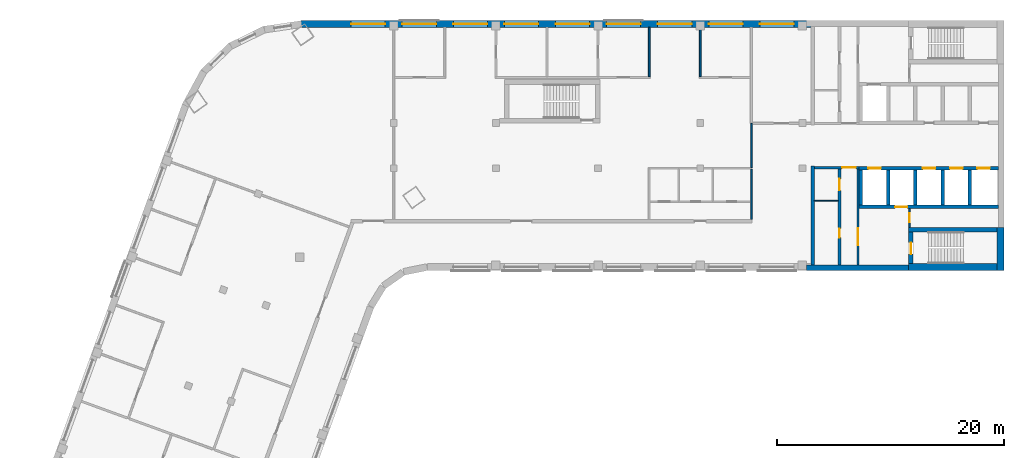
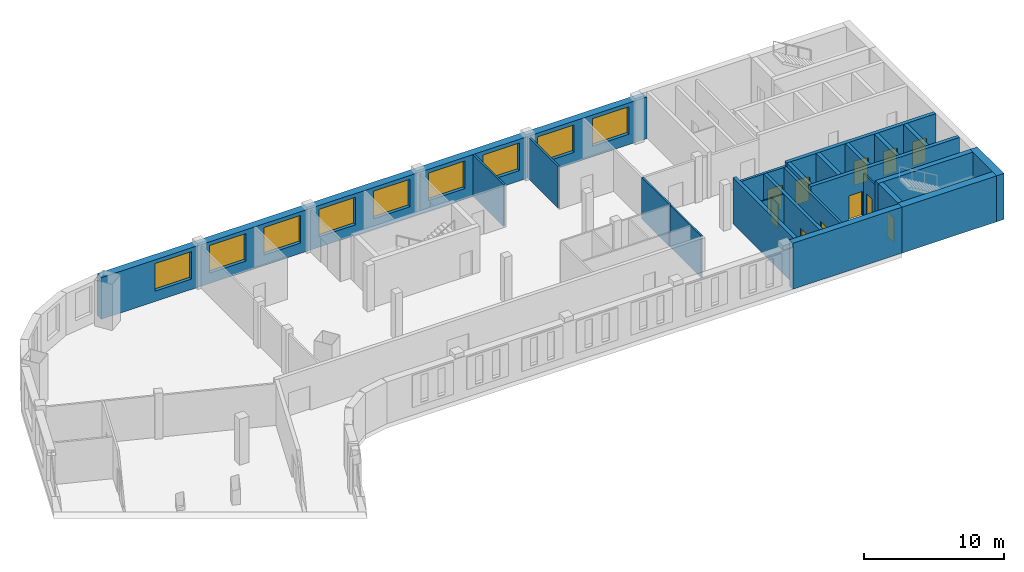
# One storey, part 5 of 8: 23 walls, 11 doors, 9 windows, 20 openings.
"""IFC4 building model written with IfcOpenShell, lengths in metres."""

from ifc_helpers import new_model, si_unit, direction, frame, frame_2d, origin, place, context, subcontext, project, spatial, rectangle, extrude, material, layer, layer_set, type_object, element, fill, save


model = new_model("IFC4")

# Units and contexts
model_context = context("Model", 3, precision=1e-05, world=origin(), true_north=direction((0.0, 1.0)))
body_context = subcontext(model_context, "Body", "Model", "MODEL_VIEW")
ifc_project = project(units=[si_unit("LENGTHUNIT", "METRE"), si_unit("AREAUNIT", "SQUARE_METRE"), si_unit("VOLUMEUNIT", "CUBIC_METRE"), si_unit("PLANEANGLEUNIT", "RADIAN"), si_unit("MASSUNIT", "GRAM", prefix="KILO")], contexts=[model_context])

# Site, building, storey
site_placement = place(None, origin())
site = spatial("IfcSite", under=ifc_project, at=site_placement, CompositionType="ELEMENT")
building_placement = place(site_placement, origin())
building = spatial("IfcBuilding", under=site, at=building_placement, Name="Skarvind Civic Tower", CompositionType="ELEMENT")
storey_placement = place(building_placement, frame((0.0, 0.0, 200.0)))
storey = spatial("IfcBuildingStorey", under=building, at=storey_placement, Name="L47", CompositionType="ELEMENT", Elevation=200.0)

# Wall, opening, door
ifc_material_1 = material(Name="Fire-rated masonry partition", Category="masonry")
ifc_layer_1 = layer(ifc_material_1, 0.199951171875)
ifc_layer_set_1 = layer_set([ifc_layer_1], Name="Core enclosure wall 200")
wall_type_1 = type_object("IfcWallType", Name="Core enclosure wall 200", PredefinedType="PARTITIONING", material=ifc_layer_set_1)
wall_1_placement = place(storey_placement, frame((95.25, 126.050048828125, 0.0), z_axis=(0.0, 0.0, 1.0), x_axis=(-1.0, 0.0, 0.0)))
wall_1 = element("IfcWall", 1, at=wall_1_placement, inside=storey, type_object=wall_type_1, Name="Core wall C1", PredefinedType="PARTITIONING", context=body_context, shape_type="SweptSolid", body=[
    extrude(rectangle(XDim=3.949951171875, YDim=0.199951171875, at=frame_2d((1.97509765625, 0.0))), origin(), (0.0, 0.0, 1.0), 3.625),
])
opening_1_placement = place(wall_1_placement, frame((0.300048828125, 0.0, 0.0)))
opening_1 = element("IfcOpeningElement", 2, at=opening_1_placement, cuts=wall_1, Name="Opening D-L47-C1-07", PredefinedType="OPENING", context=body_context, shape_type="SweptSolid", body=[
    extrude(rectangle(XDim=1.199951171875, YDim=2.10009765625, at=frame_2d((0.60009765625, 1.050048828125))), frame((0.0, 0.10986328125, 0.0), z_axis=(0.0, -1.0, 0.0), x_axis=(1.0, 0.0, 0.0)), (0.0, 0.0, 1.0), 0.219970703125),
])
ifc_material_2 = material(Name="Fire-rated steel door", Category="steel")
door_type_1 = type_object("IfcDoorType", Name="Core lobby door 1200", OperationType="NOTDEFINED", PredefinedType="DOOR", material=ifc_material_2)
door_1_placement = place(opening_1_placement, origin())
door_1 = element("IfcDoor", 3, at=door_1_placement, inside=storey, type_object=door_type_1, Name="Fire door", OperationType="DOUBLE_DOOR_SINGLE_SWING", OverallHeight=2.10009765625, OverallWidth=1.199951171875, PredefinedType="DOOR", context=body_context, shape_type="SweptSolid", body=[
    extrude(rectangle(XDim=1.199951171875, YDim=2.10009765625, at=frame_2d((0.60009765625, 1.050048828125))), frame((0.0, 0.02490234375, 0.0), z_axis=(0.0, -1.0, 0.0), x_axis=(1.0, 0.0, 0.0)), (0.0, 0.0, 1.0), 0.050048828125),
])
fill(opening_1, door_1)

wall_2_placement = place(storey_placement, frame((95.14990234375, 117.5, 0.0), z_axis=(0.0, 0.0, 1.0), x_axis=(0.0, 1.0, 0.0)))
wall_2 = element("IfcWall", 4, at=wall_2_placement, inside=storey, type_object=wall_type_1, Name="Core wall C1", PredefinedType="PARTITIONING", context=body_context, shape_type="SweptSolid", body=[
    extrude(rectangle(XDim=8.449951171875, YDim=0.199951171875, at=frame_2d((4.22509765625, 0.0))), origin(), (0.0, 0.0, 1.0), 3.625),
])
opening_2_placement = place(wall_2_placement, frame((1.72509765625, 0.0, 0.0)))
opening_2 = element("IfcOpeningElement", 5, at=opening_2_placement, cuts=wall_2, Name="Opening D-L47-C1-08", PredefinedType="OPENING", context=body_context, shape_type="SweptSolid", body=[
    extrude(rectangle(XDim=1.5, YDim=2.10009765625, at=frame_2d((0.75, 1.050048828125))), frame((0.0, 0.10986328125, 0.0), z_axis=(0.0, -1.0, 0.0), x_axis=(1.0, 0.0, 0.0)), (0.0, 0.0, 1.0), 0.219970703125),
])
door_type_2 = type_object("IfcDoorType", Name="Fire door 1500", OperationType="NOTDEFINED", PredefinedType="DOOR", material=ifc_material_2)
door_2_placement = place(opening_2_placement, origin())
door_2 = element("IfcDoor", 6, at=door_2_placement, inside=storey, type_object=door_type_2, Name="Fire door", OperationType="DOUBLE_DOOR_SINGLE_SWING", OverallHeight=2.10009765625, OverallWidth=1.5, PredefinedType="DOOR", context=body_context, shape_type="SweptSolid", body=[
    extrude(rectangle(XDim=1.5, YDim=2.10009765625, at=frame_2d((0.75, 1.050048828125))), frame((0.0, 0.02490234375, 0.0), z_axis=(0.0, -1.0, 0.0), x_axis=(1.0, 0.0, 0.0)), (0.0, 0.0, 1.0), 0.050048828125),
])
fill(opening_2, door_2)

# Wall
ifc_material_3 = material(Name="Fire-rated plasterboard partition")
ifc_layer_2 = layer(ifc_material_3, 0.10009765625)
ifc_layer_set_2 = layer_set([ifc_layer_2], Name="Core partition wall 100")
wall_type_2 = type_object("IfcWallType", Name="Core partition wall 100", PredefinedType="PARTITIONING", material=ifc_layer_set_2)
wall_3_placement = place(storey_placement, frame((93.39990234375, 123.1298828125, 0.0), z_axis=(0.0, 0.0, 1.0), x_axis=(-1.0, 0.0, 0.0)))
element("IfcWall", 7, at=wall_3_placement, inside=storey, type_object=wall_type_2, Name="Core wall C1", PredefinedType="PARTITIONING", context=body_context, shape_type="SweptSolid", body=[
    extrude(rectangle(XDim=2.099853515625, YDim=0.10009765625, at=frame_2d((1.0498046875, 0.0))), origin(), (0.0, 0.0, 1.0), 3.625),
])

# Wall, openings, doors
ifc_material_4 = material(Name="Concrete C60", Category="concrete")
ifc_layer_3 = layer(ifc_material_4, 0.300048828125)
ifc_layer_set_3 = layer_set([ifc_layer_3], Name="Core wall 300 C60")
wall_type_3 = type_object("IfcWallType", Name="Core wall 300 C60", PredefinedType="SHEAR", material=ifc_layer_set_3)
wall_4_placement = place(storey_placement, frame((107.5, 126.0, 0.0), z_axis=(0.0, 0.0, 1.0), x_axis=(-1.0, 0.0, 0.0)))
wall_4 = element("IfcWall", 8, at=wall_4_placement, inside=storey, type_object=wall_type_3, Name="Core wall C1 north lift row front L47", PredefinedType="SHEAR", context=body_context, shape_type="SweptSolid", body=[
    extrude(rectangle(XDim=12.25, YDim=0.300048828125, at=frame_2d((6.125, 0.0))), origin(), (0.0, 0.0, 1.0), 4.0),
])
opening_3_placement = place(wall_4_placement, frame((0.75, 0.0, 0.0)))
opening_3 = element("IfcOpeningElement", 9, at=opening_3_placement, cuts=wall_4, Name="Opening LD49101", PredefinedType="OPENING", context=body_context, shape_type="SweptSolid", body=[
    extrude(rectangle(XDim=1.10009765625, YDim=2.10009765625, at=frame_2d((0.550048828125, 1.050048828125))), frame((0.0, 0.159912109375, 0.0), z_axis=(0.0, -1.0, 0.0), x_axis=(1.0, 0.0, 0.0)), (0.0, 0.0, 1.0), 0.320068359375),
])
opening_4_placement = place(wall_4_placement, frame((3.14990234375, 0.0, 0.0)))
opening_4 = element("IfcOpeningElement", 10, at=opening_4_placement, cuts=wall_4, Name="Opening LD49102", PredefinedType="OPENING", context=body_context, shape_type="SweptSolid", body=[
    extrude(rectangle(XDim=1.10009765625, YDim=2.10009765625, at=frame_2d((0.550048828125, 1.050048828125))), frame((0.0, 0.159912109375, 0.0), z_axis=(0.0, -1.0, 0.0), x_axis=(1.0, 0.0, 0.0)), (0.0, 0.0, 1.0), 0.320068359375),
])
opening_5_placement = place(wall_4_placement, frame((5.550048828125, 0.0, 0.0)))
opening_5 = element("IfcOpeningElement", 11, at=opening_5_placement, cuts=wall_4, Name="Opening LD49103", PredefinedType="OPENING", context=body_context, shape_type="SweptSolid", body=[
    extrude(rectangle(XDim=1.10009765625, YDim=2.10009765625, at=frame_2d((0.550048828125, 1.050048828125))), frame((0.0, 0.159912109375, 0.0), z_axis=(0.0, -1.0, 0.0), x_axis=(1.0, 0.0, 0.0)), (0.0, 0.0, 1.0), 0.320068359375),
])
opening_6_placement = place(wall_4_placement, frame((10.35009765625, 0.0, 0.0)))
opening_6 = element("IfcOpeningElement", 12, at=opening_6_placement, cuts=wall_4, Name="Opening LD49105", PredefinedType="OPENING", context=body_context, shape_type="SweptSolid", body=[
    extrude(rectangle(XDim=1.10009765625, YDim=2.10009765625, at=frame_2d((0.550048828125, 1.050048828125))), frame((0.0, 0.159912109375, 0.0), z_axis=(0.0, -1.0, 0.0), x_axis=(1.0, 0.0, 0.0)), (0.0, 0.0, 1.0), 0.320068359375),
])
ifc_material_5 = material(Name="Stainless steel landing door", Category="steel")
door_type_3 = type_object("IfcDoorType", Name="Lift landing door 1100", OperationType="DOUBLE_DOOR_SLIDING", PredefinedType="DOOR", material=ifc_material_5)
door_3_placement = place(opening_3_placement, origin())
door_3 = element("IfcDoor", 13, at=door_3_placement, inside=storey, type_object=door_type_3, Name="Lift landing door", OperationType="DOUBLE_DOOR_SLIDING", OverallHeight=2.10009765625, OverallWidth=1.10009765625, PredefinedType="DOOR", context=body_context, shape_type="SweptSolid", body=[
    extrude(rectangle(XDim=1.10009765625, YDim=2.10009765625, at=frame_2d((0.550048828125, 1.050048828125))), frame((0.0, 0.02490234375, 0.0), z_axis=(0.0, -1.0, 0.0), x_axis=(1.0, 0.0, 0.0)), (0.0, 0.0, 1.0), 0.050048828125),
])
fill(opening_3, door_3)
door_4_placement = place(opening_4_placement, origin())
door_4 = element("IfcDoor", 14, at=door_4_placement, inside=storey, type_object=door_type_3, Name="Lift landing door", OperationType="DOUBLE_DOOR_SLIDING", OverallHeight=2.10009765625, OverallWidth=1.10009765625, PredefinedType="DOOR", context=body_context, shape_type="SweptSolid", body=[
    extrude(rectangle(XDim=1.10009765625, YDim=2.10009765625, at=frame_2d((0.550048828125, 1.050048828125))), frame((0.0, 0.02490234375, 0.0), z_axis=(0.0, -1.0, 0.0), x_axis=(1.0, 0.0, 0.0)), (0.0, 0.0, 1.0), 0.050048828125),
])
fill(opening_4, door_4)
door_5_placement = place(opening_5_placement, origin())
door_5 = element("IfcDoor", 15, at=door_5_placement, inside=storey, type_object=door_type_3, Name="Lift landing door", OperationType="DOUBLE_DOOR_SLIDING", OverallHeight=2.10009765625, OverallWidth=1.10009765625, PredefinedType="DOOR", context=body_context, shape_type="SweptSolid", body=[
    extrude(rectangle(XDim=1.10009765625, YDim=2.10009765625, at=frame_2d((0.550048828125, 1.050048828125))), frame((0.0, 0.02490234375, 0.0), z_axis=(0.0, -1.0, 0.0), x_axis=(1.0, 0.0, 0.0)), (0.0, 0.0, 1.0), 0.050048828125),
])
fill(opening_5, door_5)
door_6_placement = place(opening_6_placement, origin())
door_6 = element("IfcDoor", 16, at=door_6_placement, inside=storey, type_object=door_type_3, Name="Lift landing door", OperationType="DOUBLE_DOOR_SLIDING", OverallHeight=2.10009765625, OverallWidth=1.10009765625, PredefinedType="DOOR", context=body_context, shape_type="SweptSolid", body=[
    extrude(rectangle(XDim=1.10009765625, YDim=2.10009765625, at=frame_2d((0.550048828125, 1.050048828125))), frame((0.0, 0.02490234375, 0.0), z_axis=(0.0, -1.0, 0.0), x_axis=(1.0, 0.0, 0.0)), (0.0, 0.0, 1.0), 0.050048828125),
])
fill(opening_6, door_6)

# Wall, opening, door
wall_5_placement = place(storey_placement, frame((107.5, 122.60009765625, 0.0), z_axis=(0.0, 0.0, 1.0), x_axis=(-1.0, 0.0, 0.0)))
wall_5 = element("IfcWall", 17, at=wall_5_placement, inside=storey, type_object=wall_type_3, Name="Core wall C1 north lift row back L47", PredefinedType="SHEAR", context=body_context, shape_type="SweptSolid", body=[
    extrude(rectangle(XDim=12.25, YDim=0.300048828125, at=frame_2d((6.125, 0.0))), origin(), (0.0, 0.0, 1.0), 4.0),
])
opening_7_placement = place(wall_5_placement, frame((8.0, 0.0, 0.0)))
opening_7 = element("IfcOpeningElement", 18, at=opening_7_placement, cuts=wall_5, Name="Opening LD49104", PredefinedType="OPENING", context=body_context, shape_type="SweptSolid", body=[
    extrude(rectangle(XDim=1.10009765625, YDim=2.10009765625, at=frame_2d((0.550048828125, 1.050048828125))), frame((0.0, 0.159912109375, 0.0), z_axis=(0.0, -1.0, 0.0), x_axis=(1.0, 0.0, 0.0)), (0.0, 0.0, 1.0), 0.320068359375),
])
door_7_placement = place(opening_7_placement, origin())
door_7 = element("IfcDoor", 19, at=door_7_placement, inside=storey, type_object=door_type_3, Name="Lift landing door", OperationType="DOUBLE_DOOR_SLIDING", OverallHeight=2.10009765625, OverallWidth=1.10009765625, PredefinedType="DOOR", context=body_context, shape_type="SweptSolid", body=[
    extrude(rectangle(XDim=1.10009765625, YDim=2.10009765625, at=frame_2d((0.550048828125, 1.050048828125))), frame((0.0, 0.02490234375, 0.0), z_axis=(0.0, -1.0, 0.0), x_axis=(1.0, 0.0, 0.0)), (0.0, 0.0, 1.0), 0.050048828125),
])
fill(opening_7, door_7)

# Walls
for number, where, z_axis, x_axis, name in (
    (20, (105.0, 125.85009765625, 0.0), (0.0, 0.0, 1.0), (0.0, -1.0, 0.0), "Core wall C1 north lift row division 1 L47"),
    (21, (102.60009765625, 125.85009765625, 0.0), (0.0, 0.0, 1.0), (0.0, -1.0, 0.0), "Core wall C1 north lift row division 2 L47"),
    (22, (100.199951171875, 125.85009765625, 0.0), (0.0, 0.0, 1.0), (0.0, -1.0, 0.0), "Core wall C1 north lift row division 3 L47"),
    (23, (97.800048828125, 125.85009765625, 0.0), (0.0, 0.0, 1.0), (0.0, -1.0, 0.0), "Core wall C1 north lift row division 4 L47"),
    (24, (95.39990234375, 125.85009765625, 0.0), (0.0, 0.0, 1.0), (0.0, -1.0, 0.0), "Core wall C1 north lift row division 5 L47"),
):
    element("IfcWall", number, at=place(storey_placement, frame(where, z_axis=z_axis, x_axis=x_axis)), inside=storey, type_object=wall_type_3, Name=name, PredefinedType="SHEAR", context=body_context, shape_type="SweptSolid", body=[
        extrude(rectangle(XDim=3.10009765625, YDim=0.300048828125, at=frame_2d((1.550048828125, 0.0))), origin(), (0.0, 0.0, 1.0), 4.0),
    ])
wall_6_placement = place(storey_placement, frame((91.14990234375, 126.199951171875, 0.0), z_axis=(0.0, 0.0, 1.0), x_axis=(0.0, -1.0, 0.0)))
element("IfcWall", 25, at=wall_6_placement, inside=storey, type_object=wall_type_3, Name="Core wall C1 north inner face L47", PredefinedType="SHEAR", context=body_context, shape_type="SweptSolid", body=[
    extrude(rectangle(XDim=8.699951171875, YDim=0.300048828125, at=frame_2d((4.35009765625, 0.0))), origin(), (0.0, 0.0, 1.0), 4.0),
])
ifc_layer_4 = layer(ifc_material_4, 0.39990234375)
ifc_layer_set_4 = layer_set([ifc_layer_4], Name="Core wall 400 C60")
wall_type_4 = type_object("IfcWallType", Name="Core wall 400 C60", PredefinedType="SHEAR", material=ifc_layer_set_4)
wall_7_placement = place(storey_placement, frame((107.39990234375, 120.60009765625, 0.0), z_axis=(0.0, 0.0, 1.0), x_axis=(-1.0, 0.0, 0.0)))
element("IfcWall", 26, at=wall_7_placement, inside=storey, type_object=wall_type_4, Name="Core wall C1 north stair inner L47", PredefinedType="SHEAR", context=body_context, shape_type="SweptSolid", body=[
    extrude(rectangle(XDim=7.7998046875, YDim=0.39990234375, at=frame_2d((3.89990234375, 0.0))), origin(), (0.0, 0.0, 1.0), 4.0),
])

# Wall, opening, door
wall_8_placement = place(storey_placement, frame((99.800048828125, 120.39990234375, 0.0), z_axis=(0.0, 0.0, 1.0), x_axis=(0.0, -1.0, 0.0)))
wall_8 = element("IfcWall", 27, at=wall_8_placement, inside=storey, type_object=wall_type_4, Name="Core wall C1 north stair end L47", PredefinedType="SHEAR", context=body_context, shape_type="SweptSolid", body=[
    extrude(rectangle(XDim=2.7998046875, YDim=0.39990234375, at=frame_2d((1.39990234375, 0.0))), origin(), (0.0, 0.0, 1.0), 4.0),
])
opening_8_placement = place(wall_8_placement, frame((0.949951171875, 0.0, 0.0)))
opening_8 = element("IfcOpeningElement", 28, at=opening_8_placement, cuts=wall_8, Name="Opening D-L47-C1-09", PredefinedType="OPENING", context=body_context, shape_type="SweptSolid", body=[
    extrude(rectangle(XDim=1.0, YDim=2.10009765625, at=frame_2d((0.5, 1.050048828125))), frame((0.0, 0.2099609375, 0.0), z_axis=(0.0, -1.0, 0.0), x_axis=(1.0, 0.0, 0.0)), (0.0, 0.0, 1.0), 0.419921875),
])
door_type_4 = type_object("IfcDoorType", Name="Fire door 1000", OperationType="NOTDEFINED", PredefinedType="DOOR", material=ifc_material_2)
door_8_placement = place(opening_8_placement, origin())
door_8 = element("IfcDoor", 29, at=door_8_placement, inside=storey, type_object=door_type_4, Name="Fire door", OperationType="SINGLE_SWING_LEFT", OverallHeight=2.10009765625, OverallWidth=1.0, PredefinedType="DOOR", context=body_context, shape_type="SweptSolid", body=[
    extrude(rectangle(XDim=1.0, YDim=2.10009765625, at=frame_2d((0.5, 1.050048828125))), frame((0.0, 0.02490234375, 0.0), z_axis=(0.0, -1.0, 0.0), x_axis=(1.0, 0.0, 0.0)), (0.0, 0.0, 1.0), 0.050048828125),
])
fill(opening_8, door_8)

# Walls
ifc_layer_5 = layer(ifc_material_4, 0.5)
ifc_layer_set_5 = layer_set([ifc_layer_5], Name="Core wall 500 C60")
wall_type_5 = type_object("IfcWallType", Name="Core wall 500 C60", PredefinedType="SHEAR", material=ifc_layer_set_5)
wall_9_placement = place(storey_placement, frame((99.60009765625, 117.25, 0.0), z_axis=(0.0, 0.0, 1.0), x_axis=(-1.0, 0.0, 0.0)))
element("IfcWall", 30, at=wall_9_placement, inside=storey, type_object=wall_type_5, Name="Core wall C1 north side L47", PredefinedType="SHEAR", context=body_context, shape_type="SweptSolid", body=[
    extrude(rectangle(XDim=8.97509765625, YDim=0.5, at=frame_2d((4.487548828125, 0.0))), origin(), (0.0, 0.0, 1.0), 4.0),
])
ifc_layer_6 = layer(ifc_material_4, 0.60009765625)
ifc_layer_set_6 = layer_set([ifc_layer_6], Name="Core wall 600 C60")
wall_type_6 = type_object("IfcWallType", Name="Core wall 600 C60", PredefinedType="SHEAR", material=ifc_layer_set_6)
wall_10_placement = place(storey_placement, frame((107.699951171875, 120.800048828125, 0.0), z_axis=(0.0, 0.0, 1.0), x_axis=(0.0, -1.0, 0.0)))
element("IfcWall", 31, at=wall_10_placement, inside=storey, type_object=wall_type_6, Name="Core wall C1 tip at the north stair L47", PredefinedType="SHEAR", context=body_context, shape_type="SweptSolid", body=[
    extrude(rectangle(XDim=3.800048828125, YDim=0.60009765625, at=frame_2d((1.89990234375, 0.0))), origin(), (0.0, 0.0, 1.0), 4.0),
])
wall_11_placement = place(storey_placement, frame((107.39990234375, 117.300048828125, 0.0), z_axis=(0.0, 0.0, 1.0), x_axis=(-1.0, 0.0, 0.0)))
element("IfcWall", 32, at=wall_11_placement, inside=storey, type_object=wall_type_6, Name="Core wall C1 north side at the stair L47", PredefinedType="SHEAR", context=body_context, shape_type="SweptSolid", body=[
    extrude(rectangle(XDim=7.7998046875, YDim=0.60009765625, at=frame_2d((3.89990234375, 0.0))), origin(), (0.0, 0.0, 1.0), 4.0),
])
ifc_material_6 = material(Name="Plasterboard partition on steel studs", Category="steel")
ifc_layer_7 = layer(ifc_material_6, 0.14990234375)
ifc_layer_set_7 = layer_set([ifc_layer_7], Name="PARTITION 150")
wall_type_7 = type_object("IfcWallType", Name="PARTITION 150", PredefinedType="PARTITIONING", material=ifc_layer_set_7)
for number, where, z_axis, x_axis, name in (
    (33, (76.75, 138.39990234375, 0.0), (0.0, 0.0, 1.0), (0.0, -1.0, 0.0), "Partition 47.027"),
    (34, (81.25, 134.074951171875, 0.0), (0.0, 0.0, 1.0), (0.0, 1.0, 0.0), "Partition 47.029"),
):
    element("IfcWall", number, at=place(storey_placement, frame(where, z_axis=z_axis, x_axis=x_axis)), inside=storey, type_object=wall_type_7, Name=name, PredefinedType="PARTITIONING", context=body_context, shape_type="SweptSolid", body=[
        extrude(rectangle(XDim=4.324951171875, YDim=0.14990234375, at=frame_2d((2.16259765625, 0.0))), origin(), (0.0, 0.0, 1.0), 3.625),
    ])
wall_12_placement = place(storey_placement, frame((85.75, 126.06005859375, 0.0), z_axis=(0.0, 0.0, 1.0), x_axis=(0.0, 1.0, 0.0)))
element("IfcWall", 35, at=wall_12_placement, inside=storey, type_object=wall_type_7, Name="Partition 47.032", PredefinedType="PARTITIONING", context=body_context, shape_type="SweptSolid", body=[
    extrude(rectangle(XDim=3.889892578125, YDim=0.14990234375, at=frame_2d((1.94482421875, 0.0))), origin(), (0.0, 0.0, 1.0), 3.625),
])

# Wall, opening, door
ifc_layer_8 = layer(ifc_material_1, 0.125)
ifc_layer_set_8 = layer_set([ifc_layer_8], Name="Riser wall 125")
wall_type_8 = type_object("IfcWallType", Name="Riser wall 125", PredefinedType="PARTITIONING", material=ifc_layer_set_8)
wall_13_placement = place(storey_placement, frame((99.66259765625, 120.800048828125, 0.0), z_axis=(0.0, 0.0, 1.0), x_axis=(0.0, 1.0, 0.0)))
wall_13 = element("IfcWall", 36, at=wall_13_placement, inside=storey, type_object=wall_type_8, Name="Core wall C1", PredefinedType="PARTITIONING", context=body_context, shape_type="SweptSolid", body=[
    extrude(rectangle(XDim=1.64990234375, YDim=0.125, at=frame_2d((0.824951171875, 0.0))), origin(), (0.0, 0.0, 1.0), 3.625),
])
opening_9_placement = place(wall_13_placement, frame((0.425048828125, 0.0, 0.0)))
opening_9 = element("IfcOpeningElement", 37, at=opening_9_placement, cuts=wall_13, Name="Opening D-L47-C1-10", PredefinedType="OPENING", context=body_context, shape_type="SweptSolid", body=[
    extrude(rectangle(XDim=0.800048828125, YDim=2.10009765625, at=frame_2d((0.39990234375, 1.050048828125))), frame((0.0, 0.072509765625, 0.0), z_axis=(0.0, -1.0, 0.0), x_axis=(1.0, 0.0, 0.0)), (0.0, 0.0, 1.0), 0.14501953125),
])
door_type_5 = type_object("IfcDoorType", Name="Core riser door 800", OperationType="NOTDEFINED", PredefinedType="DOOR", material=ifc_material_2)
door_9_placement = place(opening_9_placement, origin())
door_9 = element("IfcDoor", 38, at=door_9_placement, inside=storey, type_object=door_type_5, Name="Riser door", OperationType="SINGLE_SWING_RIGHT", OverallHeight=2.10009765625, OverallWidth=0.800048828125, PredefinedType="DOOR", context=body_context, shape_type="SweptSolid", body=[
    extrude(rectangle(XDim=0.800048828125, YDim=2.10009765625, at=frame_2d((0.39990234375, 1.050048828125))), frame((0.0, 0.02490234375, 0.0), z_axis=(0.0, -1.0, 0.0), x_axis=(1.0, 0.0, 0.0)), (0.0, 0.0, 1.0), 0.050048828125),
])
fill(opening_9, door_9)

# Wall, openings, doors
ifc_layer_9 = layer(ifc_material_1, 0.25)
ifc_layer_set_9 = layer_set([ifc_layer_9], Name="Service block wall 250")
wall_type_9 = type_object("IfcWallType", Name="Service block wall 250", PredefinedType="PARTITIONING", material=ifc_layer_set_9)
wall_14_placement = place(storey_placement, frame((93.52490234375, 117.5, 0.0), z_axis=(0.0, 0.0, 1.0), x_axis=(0.0, 1.0, 0.0)))
wall_14 = element("IfcWall", 39, at=wall_14_placement, inside=storey, type_object=wall_type_9, Name="Core wall C1", PredefinedType="PARTITIONING", context=body_context, shape_type="SweptSolid", body=[
    extrude(rectangle(XDim=8.449951171875, YDim=0.25, at=frame_2d((4.22509765625, 0.0))), origin(), (0.0, 0.0, 1.0), 3.625),
])
opening_10_placement = place(wall_14_placement, frame((6.56494140625, 0.0, 0.0)))
opening_10 = element("IfcOpeningElement", 40, at=opening_10_placement, cuts=wall_14, Name="Opening D-L47-C1-11", PredefinedType="OPENING", context=body_context, shape_type="SweptSolid", body=[
    extrude(rectangle(XDim=1.0, YDim=2.10009765625, at=frame_2d((0.5, 1.050048828125))), frame((0.0, 0.135009765625, 0.0), z_axis=(0.0, -1.0, 0.0), x_axis=(1.0, 0.0, 0.0)), (0.0, 0.0, 1.0), 0.27001953125),
])
opening_11_placement = place(wall_14_placement, frame((2.389892578125, 0.0, 0.0)))
opening_11 = element("IfcOpeningElement", 41, at=opening_11_placement, cuts=wall_14, Name="Opening D-L47-C1-12", PredefinedType="OPENING", context=body_context, shape_type="SweptSolid", body=[
    extrude(rectangle(XDim=0.800048828125, YDim=2.10009765625, at=frame_2d((0.39990234375, 1.050048828125))), frame((0.0, 0.135009765625, 0.0), z_axis=(0.0, -1.0, 0.0), x_axis=(1.0, 0.0, 0.0)), (0.0, 0.0, 1.0), 0.27001953125),
])
door_10_placement = place(opening_11_placement, origin())
door_10 = element("IfcDoor", 42, at=door_10_placement, inside=storey, type_object=door_type_5, Name="Riser door", OperationType="SINGLE_SWING_RIGHT", OverallHeight=2.10009765625, OverallWidth=0.800048828125, PredefinedType="DOOR", context=body_context, shape_type="SweptSolid", body=[
    extrude(rectangle(XDim=0.800048828125, YDim=2.10009765625, at=frame_2d((0.39990234375, 1.050048828125))), frame((0.0, 0.02490234375, 0.0), z_axis=(0.0, -1.0, 0.0), x_axis=(1.0, 0.0, 0.0)), (0.0, 0.0, 1.0), 0.050048828125),
])
fill(opening_11, door_10)
door_11_placement = place(opening_10_placement, origin())
door_11 = element("IfcDoor", 43, at=door_11_placement, inside=storey, type_object=door_type_4, Name="Fire door", OperationType="SINGLE_SWING_LEFT", OverallHeight=2.10009765625, OverallWidth=1.0, PredefinedType="DOOR", context=body_context, shape_type="SweptSolid", body=[
    extrude(rectangle(XDim=1.0, YDim=2.10009765625, at=frame_2d((0.5, 1.050048828125))), frame((0.0, 0.02490234375, 0.0), z_axis=(0.0, -1.0, 0.0), x_axis=(1.0, 0.0, 0.0)), (0.0, 0.0, 1.0), 0.050048828125),
])
fill(opening_10, door_11)

# Wall
ifc_material_7 = material(Name="Moisture-resistant gypsum board on steel studs", Category="steel")
ifc_layer_10 = layer(ifc_material_7, 0.125)
ifc_layer_set_10 = layer_set([ifc_layer_10], Name="WC PARTITION 125")
wall_type_10 = type_object("IfcWallType", Name="WC PARTITION 125", PredefinedType="PARTITIONING", material=ifc_layer_set_10)
wall_15_placement = place(storey_placement, frame((85.75, 121.5, 0.0), z_axis=(0.0, 0.0, 1.0), x_axis=(0.0, 1.0, 0.0)))
element("IfcWall", 44, at=wall_15_placement, inside=storey, type_object=wall_type_10, Name="Partition 47.031", PredefinedType="PARTITIONING", context=body_context, shape_type="SweptSolid", body=[
    extrude(rectangle(XDim=4.427978515625, YDim=0.125, at=frame_2d((2.2138671875, 0.0))), origin(), (0.0, 0.0, 1.0), 3.625),
])

# Wall, openings, windows
ifc_material_8 = material(Name="Limestone masonry cladding on insulated backing", Category="masonry")
ifc_layer_11 = layer(ifc_material_8, 0.60009765625)
ifc_layer_set_11 = layer_set([ifc_layer_11], Name="WX1 STONE FACADE WALL 600")
wall_type_11 = type_object("IfcWallType", Name="WX1 STONE FACADE WALL 600", PredefinedType="SOLIDWALL", material=ifc_layer_set_11)
wall_16_placement = place(storey_placement, frame((46.095458984375, 138.699951171875, 0.0), z_axis=(0.0, 0.0, 1.0), x_axis=(1.0, 0.0, 0.0)))
wall_16 = element("IfcWall", 45, at=wall_16_placement, inside=storey, type_object=wall_type_11, Name="STONE FACADE WALL", PredefinedType="SOLIDWALL", context=body_context, shape_type="SweptSolid", body=[
    extrude(rectangle(XDim=44.884521484375, YDim=0.60009765625, at=frame_2d((22.4423828125, 0.0))), origin(), (0.0, 0.0, 1.0), 3.625),
])
opening_12_placement = place(wall_16_placement, frame((4.404541015625, 0.0, 0.89990234375)))
opening_12 = element("IfcOpeningElement", 46, at=opening_12_placement, cuts=wall_16, Name="Opening WN1", PredefinedType="OPENING", context=body_context, shape_type="SweptSolid", body=[
    extrude(rectangle(XDim=3.0, YDim=2.39990234375, at=frame_2d((1.5, 1.199951171875))), frame((0.0, 0.31005859375, 0.0), z_axis=(0.0, -1.0, 0.0), x_axis=(1.0, 0.0, 0.0)), (0.0, 0.0, 1.0), 0.6201171875),
])
opening_13_placement = place(wall_16_placement, frame((8.904541015625, 0.0, 0.89990234375)))
opening_13 = element("IfcOpeningElement", 47, at=opening_13_placement, cuts=wall_16, Name="Opening WN1", PredefinedType="OPENING", context=body_context, shape_type="SweptSolid", body=[
    extrude(rectangle(XDim=3.0, YDim=2.39990234375, at=frame_2d((1.5, 1.199951171875))), frame((0.0, 0.31005859375, 0.0), z_axis=(0.0, -1.0, 0.0), x_axis=(1.0, 0.0, 0.0)), (0.0, 0.0, 1.0), 0.6201171875),
])
opening_14_placement = place(wall_16_placement, frame((13.404541015625, 0.0, 0.89990234375)))
opening_14 = element("IfcOpeningElement", 48, at=opening_14_placement, cuts=wall_16, Name="Opening WN1", PredefinedType="OPENING", context=body_context, shape_type="SweptSolid", body=[
    extrude(rectangle(XDim=3.0, YDim=2.39990234375, at=frame_2d((1.5, 1.199951171875))), frame((0.0, 0.31005859375, 0.0), z_axis=(0.0, -1.0, 0.0), x_axis=(1.0, 0.0, 0.0)), (0.0, 0.0, 1.0), 0.6201171875),
])
opening_15_placement = place(wall_16_placement, frame((17.904541015625, 0.0, 0.89990234375)))
opening_15 = element("IfcOpeningElement", 49, at=opening_15_placement, cuts=wall_16, Name="Opening WN1", PredefinedType="OPENING", context=body_context, shape_type="SweptSolid", body=[
    extrude(rectangle(XDim=3.0, YDim=2.39990234375, at=frame_2d((1.5, 1.199951171875))), frame((0.0, 0.31005859375, 0.0), z_axis=(0.0, -1.0, 0.0), x_axis=(1.0, 0.0, 0.0)), (0.0, 0.0, 1.0), 0.6201171875),
])
opening_16_placement = place(wall_16_placement, frame((22.404541015625, 0.0, 0.89990234375)))
opening_16 = element("IfcOpeningElement", 50, at=opening_16_placement, cuts=wall_16, Name="Opening WN1", PredefinedType="OPENING", context=body_context, shape_type="SweptSolid", body=[
    extrude(rectangle(XDim=3.0, YDim=2.39990234375, at=frame_2d((1.5, 1.199951171875))), frame((0.0, 0.31005859375, 0.0), z_axis=(0.0, -1.0, 0.0), x_axis=(1.0, 0.0, 0.0)), (0.0, 0.0, 1.0), 0.6201171875),
])
opening_17_placement = place(wall_16_placement, frame((26.904541015625, 0.0, 0.89990234375)))
opening_17 = element("IfcOpeningElement", 51, at=opening_17_placement, cuts=wall_16, Name="Opening WN1", PredefinedType="OPENING", context=body_context, shape_type="SweptSolid", body=[
    extrude(rectangle(XDim=3.0, YDim=2.39990234375, at=frame_2d((1.5, 1.199951171875))), frame((0.0, 0.31005859375, 0.0), z_axis=(0.0, -1.0, 0.0), x_axis=(1.0, 0.0, 0.0)), (0.0, 0.0, 1.0), 0.6201171875),
])
opening_18_placement = place(wall_16_placement, frame((31.404541015625, 0.0, 0.89990234375)))
opening_18 = element("IfcOpeningElement", 52, at=opening_18_placement, cuts=wall_16, Name="Opening WN1", PredefinedType="OPENING", context=body_context, shape_type="SweptSolid", body=[
    extrude(rectangle(XDim=3.0, YDim=2.39990234375, at=frame_2d((1.5, 1.199951171875))), frame((0.0, 0.31005859375, 0.0), z_axis=(0.0, -1.0, 0.0), x_axis=(1.0, 0.0, 0.0)), (0.0, 0.0, 1.0), 0.6201171875),
])
opening_19_placement = place(wall_16_placement, frame((35.904541015625, 0.0, 0.89990234375)))
opening_19 = element("IfcOpeningElement", 53, at=opening_19_placement, cuts=wall_16, Name="Opening WN1", PredefinedType="OPENING", context=body_context, shape_type="SweptSolid", body=[
    extrude(rectangle(XDim=3.0, YDim=2.39990234375, at=frame_2d((1.5, 1.199951171875))), frame((0.0, 0.31005859375, 0.0), z_axis=(0.0, -1.0, 0.0), x_axis=(1.0, 0.0, 0.0)), (0.0, 0.0, 1.0), 0.6201171875),
])
opening_20_placement = place(wall_16_placement, frame((40.404541015625, 0.0, 0.89990234375)))
opening_20 = element("IfcOpeningElement", 54, at=opening_20_placement, cuts=wall_16, Name="Opening WN1", PredefinedType="OPENING", context=body_context, shape_type="SweptSolid", body=[
    extrude(rectangle(XDim=3.0, YDim=2.39990234375, at=frame_2d((1.5, 1.199951171875))), frame((0.0, 0.31005859375, 0.0), z_axis=(0.0, -1.0, 0.0), x_axis=(1.0, 0.0, 0.0)), (0.0, 0.0, 1.0), 0.6201171875),
])
ifc_material_9 = material(Name="Timber frame, double glazing, timber-lined reveal", Category="wood")
window_type = type_object("IfcWindowType", Name="WN1 PUNCHED STONE WINDOW 3000 x 2400", PartitioningType="SINGLE_PANEL", PredefinedType="WINDOW", material=ifc_material_9)
window_1_placement = place(opening_12_placement, origin())
window_1 = element("IfcWindow", 55, at=window_1_placement, inside=storey, type_object=window_type, Name="WN1 WINDOW", OverallHeight=2.39990234375, OverallWidth=3.0, PartitioningType="SINGLE_PANEL", PredefinedType="WINDOW", context=body_context, shape_type="SweptSolid", body=[
    extrude(rectangle(XDim=3.0, YDim=2.39990234375, at=frame_2d((1.5, 1.199951171875))), frame((0.0, 0.030029296875, 0.0), z_axis=(0.0, -1.0, 0.0), x_axis=(1.0, 0.0, 0.0)), (0.0, 0.0, 1.0), 0.06005859375),
])
fill(opening_12, window_1)
window_2_placement = place(opening_13_placement, origin())
window_2 = element("IfcWindow", 56, at=window_2_placement, inside=storey, type_object=window_type, Name="WN1 WINDOW", OverallHeight=2.39990234375, OverallWidth=3.0, PartitioningType="SINGLE_PANEL", PredefinedType="WINDOW", context=body_context, shape_type="SweptSolid", body=[
    extrude(rectangle(XDim=3.0, YDim=2.39990234375, at=frame_2d((1.5, 1.199951171875))), frame((0.0, 0.030029296875, 0.0), z_axis=(0.0, -1.0, 0.0), x_axis=(1.0, 0.0, 0.0)), (0.0, 0.0, 1.0), 0.06005859375),
])
fill(opening_13, window_2)
window_3_placement = place(opening_14_placement, origin())
window_3 = element("IfcWindow", 57, at=window_3_placement, inside=storey, type_object=window_type, Name="WN1 WINDOW", OverallHeight=2.39990234375, OverallWidth=3.0, PartitioningType="SINGLE_PANEL", PredefinedType="WINDOW", context=body_context, shape_type="SweptSolid", body=[
    extrude(rectangle(XDim=3.0, YDim=2.39990234375, at=frame_2d((1.5, 1.199951171875))), frame((0.0, 0.030029296875, 0.0), z_axis=(0.0, -1.0, 0.0), x_axis=(1.0, 0.0, 0.0)), (0.0, 0.0, 1.0), 0.06005859375),
])
fill(opening_14, window_3)
window_4_placement = place(opening_15_placement, origin())
window_4 = element("IfcWindow", 58, at=window_4_placement, inside=storey, type_object=window_type, Name="WN1 WINDOW", OverallHeight=2.39990234375, OverallWidth=3.0, PartitioningType="SINGLE_PANEL", PredefinedType="WINDOW", context=body_context, shape_type="SweptSolid", body=[
    extrude(rectangle(XDim=3.0, YDim=2.39990234375, at=frame_2d((1.5, 1.199951171875))), frame((0.0, 0.030029296875, 0.0), z_axis=(0.0, -1.0, 0.0), x_axis=(1.0, 0.0, 0.0)), (0.0, 0.0, 1.0), 0.06005859375),
])
fill(opening_15, window_4)
window_5_placement = place(opening_16_placement, origin())
window_5 = element("IfcWindow", 59, at=window_5_placement, inside=storey, type_object=window_type, Name="WN1 WINDOW", OverallHeight=2.39990234375, OverallWidth=3.0, PartitioningType="SINGLE_PANEL", PredefinedType="WINDOW", context=body_context, shape_type="SweptSolid", body=[
    extrude(rectangle(XDim=3.0, YDim=2.39990234375, at=frame_2d((1.5, 1.199951171875))), frame((0.0, 0.030029296875, 0.0), z_axis=(0.0, -1.0, 0.0), x_axis=(1.0, 0.0, 0.0)), (0.0, 0.0, 1.0), 0.06005859375),
])
fill(opening_16, window_5)
window_6_placement = place(opening_17_placement, origin())
window_6 = element("IfcWindow", 60, at=window_6_placement, inside=storey, type_object=window_type, Name="WN1 WINDOW", OverallHeight=2.39990234375, OverallWidth=3.0, PartitioningType="SINGLE_PANEL", PredefinedType="WINDOW", context=body_context, shape_type="SweptSolid", body=[
    extrude(rectangle(XDim=3.0, YDim=2.39990234375, at=frame_2d((1.5, 1.199951171875))), frame((0.0, 0.030029296875, 0.0), z_axis=(0.0, -1.0, 0.0), x_axis=(1.0, 0.0, 0.0)), (0.0, 0.0, 1.0), 0.06005859375),
])
fill(opening_17, window_6)
window_7_placement = place(opening_18_placement, origin())
window_7 = element("IfcWindow", 61, at=window_7_placement, inside=storey, type_object=window_type, Name="WN1 WINDOW", OverallHeight=2.39990234375, OverallWidth=3.0, PartitioningType="SINGLE_PANEL", PredefinedType="WINDOW", context=body_context, shape_type="SweptSolid", body=[
    extrude(rectangle(XDim=3.0, YDim=2.39990234375, at=frame_2d((1.5, 1.199951171875))), frame((0.0, 0.030029296875, 0.0), z_axis=(0.0, -1.0, 0.0), x_axis=(1.0, 0.0, 0.0)), (0.0, 0.0, 1.0), 0.06005859375),
])
fill(opening_18, window_7)
window_8_placement = place(opening_19_placement, origin())
window_8 = element("IfcWindow", 62, at=window_8_placement, inside=storey, type_object=window_type, Name="WN1 WINDOW", OverallHeight=2.39990234375, OverallWidth=3.0, PartitioningType="SINGLE_PANEL", PredefinedType="WINDOW", context=body_context, shape_type="SweptSolid", body=[
    extrude(rectangle(XDim=3.0, YDim=2.39990234375, at=frame_2d((1.5, 1.199951171875))), frame((0.0, 0.030029296875, 0.0), z_axis=(0.0, -1.0, 0.0), x_axis=(1.0, 0.0, 0.0)), (0.0, 0.0, 1.0), 0.06005859375),
])
fill(opening_19, window_8)
window_9_placement = place(opening_20_placement, origin())
window_9 = element("IfcWindow", 63, at=window_9_placement, inside=storey, type_object=window_type, Name="WN1 WINDOW", OverallHeight=2.39990234375, OverallWidth=3.0, PartitioningType="SINGLE_PANEL", PredefinedType="WINDOW", context=body_context, shape_type="SweptSolid", body=[
    extrude(rectangle(XDim=3.0, YDim=2.39990234375, at=frame_2d((1.5, 1.199951171875))), frame((0.0, 0.030029296875, 0.0), z_axis=(0.0, -1.0, 0.0), x_axis=(1.0, 0.0, 0.0)), (0.0, 0.0, 1.0), 0.06005859375),
])
fill(opening_20, window_9)

save(model, "model.ifc")
